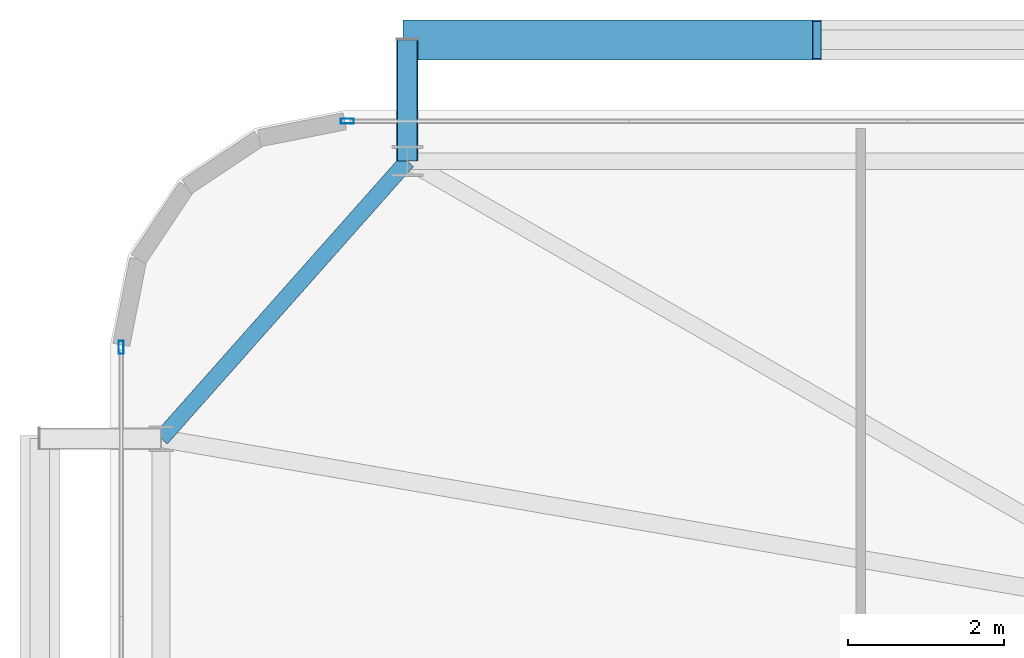
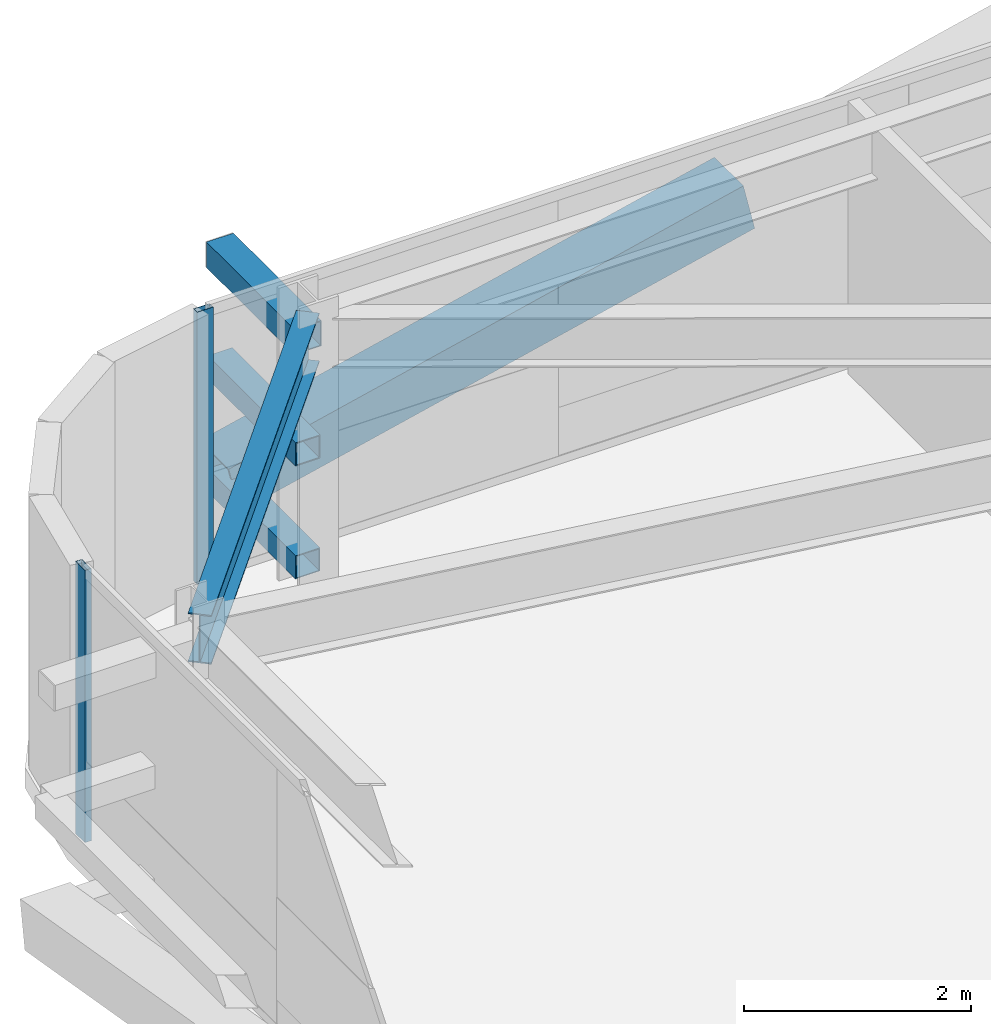
# One storey, part 21 of 44: 6 members, 1 beam, 2 elements without a shape of their own.
"""IFC4 building model written with IfcOpenShell, lengths in metres."""

from ifc_helpers import new_model, si_unit, direction, frame, origin, origin_2d, place, context, subcontext, project, spatial, hollow_rectangle, i_section, extrude, source, transform, mapped, material, layer, layer_set, material_profile, profile_set, type_object, element, aggregate, save


model = new_model("IFC4")

# Units and contexts
model_context = context("Model", 3, precision=1e-05, world=origin(), true_north=direction((0.0, 1.0)))
body_context = subcontext(model_context, "Body", "Model", "MODEL_VIEW")
ifc_project = project(units=[si_unit("LENGTHUNIT", "METRE"), si_unit("AREAUNIT", "SQUARE_METRE"), si_unit("VOLUMEUNIT", "CUBIC_METRE"), si_unit("PLANEANGLEUNIT", "RADIAN"), si_unit("MASSUNIT", "GRAM", prefix="KILO")], contexts=[model_context])

# Site, building, storey
site_placement = place(None, origin())
site = spatial("IfcSite", under=ifc_project, at=site_placement, CompositionType="ELEMENT")
building_placement = place(site_placement, origin())
building = spatial("IfcBuilding", under=site, at=building_placement, Name="Taldren Reach Tower", CompositionType="ELEMENT")
storey_placement = place(building_placement, frame((0.0, 0.0, 42.0)))
storey = spatial("IfcBuildingStorey", under=building, at=storey_placement, Name="L12", CompositionType="ELEMENT", Elevation=42.0)

# Beam
ifc_material_1 = material(Name="Steel Gr 350 (350PLUS)", Category="steel")
ifc_material_profile_1 = material_profile(ifc_material_1, i_section(OverallWidth=0.208984375, OverallDepth=0.528076171875, WebThickness=0.009521484375, FlangeThickness=0.01318359375, at=origin_2d()), Name="530UB82.0")
ifc_profile_set_1 = profile_set([ifc_material_profile_1], Name="Steel Gr 350 (350PLUS)")
beam_type = type_object("IfcBeamType", Name="SP-UB530B", PredefinedType="SPANDREL", material=ifc_profile_set_1)
shared_shape_1 = source(origin(), body_context, "Body", "SweptSolid", [
    extrude(i_section(OverallWidth=0.208984375, OverallDepth=0.528076171875, WebThickness=0.009521484375, FlangeThickness=0.01318359375, at=origin_2d()), origin(), (0.0, 0.0, 1.0), 4.74609375),
])
beam_placement = place(storey_placement, frame((8.800048828125, 37.85009765625, 2.666015625), z_axis=(-0.663721843779, -0.747979487747, 0.0), x_axis=(0.747979487747, -0.663721843779, 0.0)))
element("IfcBeam", 1, at=beam_placement, inside=storey, type_object=beam_type, Name="Perimeter spandrel B1 N1-W3 L12", PredefinedType="SPANDREL", context=body_context, shape_type="MappedRepresentation", body=[
    mapped(shared_shape_1, transform((0.0, 0.0, 0.0), scale=1.0)),
])

# Members
ifc_material_2 = material(Name="Steel Gr 450 (C450L0)", Category="steel")
ifc_material_profile_2 = material_profile(ifc_material_2, hollow_rectangle(XDim=0.27490234375, YDim=0.27490234375, WallThickness=0.00927734375, at=origin_2d()), Name="275x275x9.3SHS")
ifc_profile_set_2 = profile_set([ifc_material_profile_2], Name="Steel Gr 450 (C450L0)")
member_type_1 = type_object("IfcMemberType", Name="MB-TIE273", PredefinedType="STRUT", material=ifc_profile_set_2)
shared_shape_2 = source(origin(), body_context, "Body", "SweptSolid", [
    extrude(hollow_rectangle(XDim=0.27490234375, YDim=0.27490234375, WallThickness=0.00927734375, at=origin_2d()), origin(), (0.0, 0.0, 1.0), 1.5498046875),
])
member_1_placement = place(storey_placement, frame((8.800048828125, 37.85009765625, 2.64990234375), z_axis=(0.0, 1.0, 0.0), x_axis=(-1.0, 0.0, 0.0)))
element("IfcMember", 2, at=member_1_placement, inside=storey, type_object=member_type_1, Name="Exoskeleton diaphragm tie strut B1-N1 L12", PredefinedType="STRUT", context=body_context, shape_type="MappedRepresentation", body=[
    mapped(shared_shape_2, transform((0.0, 0.0, 0.0), scale=1.0)),
])
ifc_material_profile_3 = material_profile(ifc_material_2, hollow_rectangle(XDim=0.510009765625, YDim=0.510009765625, WallThickness=0.02001953125, at=origin_2d()), Name="510x510x20.0SHS")
ifc_profile_set_3 = profile_set([ifc_material_profile_3], Name="Steel Gr 450 (C450L0)")
member_type_2 = type_object("IfcMemberType", Name="MB-EXO508", PredefinedType="BRACE", material=ifc_profile_set_3)
shared_shape_3 = source(origin(), body_context, "Body", "SweptSolid", [
    extrude(hollow_rectangle(XDim=0.510009765625, YDim=0.510009765625, WallThickness=0.02001953125, at=origin_2d()), origin(), (0.0, 0.0, 1.0), 5.37890625),
])
member_2_placement = place(storey_placement, frame((8.800048828125, 39.39990234375, 0.219970703125), z_axis=(0.97415197996, 0.0, 0.225893603143), x_axis=(0.0, 1.0, 0.0)))
element("IfcMember", 3, at=member_2_placement, inside=storey, type_object=member_type_2, Name="Exoskeleton Diagrid Brace B1-N1 L12", PredefinedType="BRACE", context=body_context, shape_type="MappedRepresentation", body=[
    mapped(shared_shape_3, transform((0.0, 0.0, 0.0), scale=1.0)),
])
ifc_material_3 = material(Name="Steel Gr 350 (C350L0)", Category="steel")
ifc_material_profile_4 = material_profile(ifc_material_3, hollow_rectangle(XDim=0.25, YDim=0.25, WallThickness=0.010009765625, at=origin_2d()), Name="250x250x10.0SHS")
ifc_profile_set_4 = profile_set([ifc_material_profile_4], Name="Steel Gr 350 (C350L0)")
member_type_3 = type_object("IfcMemberType", Name="MB-POST250", PredefinedType="POST", material=ifc_profile_set_4)
shared_shape_4 = source(origin(), body_context, "Body", "SweptSolid", [
    extrude(hollow_rectangle(XDim=0.25, YDim=0.25, WallThickness=0.010009765625, at=origin_2d()), origin(), (0.0, 0.0, 1.0), 1.5498046875),
])
for number, where, z_axis, x_axis, name in (
    (4, (8.800048828125, 37.85009765625, 0.219970703125), (0.0, 1.0, 0.0), (-1.0, 0.0, 0.0), "Exoskeleton base diaphragm tie strut B1-N1 L12"),
    (5, (8.800048828125, 37.85009765625, 1.43505859375), (0.0, 1.0, 0.0), (-1.0, 0.0, 0.0), "Exoskeleton mid-tier diaphragm tie B1-N1 L12"),
):
    element("IfcMember", number, at=place(storey_placement, frame(where, z_axis=z_axis, x_axis=x_axis)), inside=storey, type_object=member_type_3, Name=name, PredefinedType="POST", context=body_context, shape_type="MappedRepresentation", body=[
        mapped(shared_shape_4, transform((0.0, 0.0, 0.0), scale=1.0)),
    ])

# Curtain wall, member
ifc_material_4 = material(Name="Aluminium and Low-E Glass Unitised System", Category="aluminium")
ifc_layer = layer(ifc_material_4, 0.159912109375)
ifc_layer_set = layer_set([ifc_layer], Name="Aluminium and Low-E Glass Unitised System")
curtain_wall_type = type_object("IfcCurtainWallType", Name="CW-SYS-2", PredefinedType="NOTDEFINED", material=ifc_layer_set)
curtain_wall_1_placement = place(storey_placement, origin())
curtain_wall_1 = element("IfcCurtainWall", 6, at=curtain_wall_1_placement, inside=storey, type_object=curtain_wall_type, Name="Unitised curtain wall CW-L12-N", PredefinedType="NOTDEFINED")
ifc_material_5 = material(Name="Anodised Aluminium 6063-T6", Category="aluminium")
ifc_material_profile_5 = material_profile(ifc_material_5, hollow_rectangle(XDim=0.06494140625, YDim=0.1650390625, WallThickness=0.00390625, at=origin_2d()), Name="ALU-165x65x4RHS")
ifc_profile_set_5 = profile_set([ifc_material_profile_5], Name="Anodised Aluminium 6063-T6")
member_type_4 = type_object("IfcMemberType", Name="CW-MUL-165", PredefinedType="MULLION", material=ifc_profile_set_5)
shared_shape_5 = source(origin(), body_context, "Body", "SweptSolid", [
    extrude(hollow_rectangle(XDim=0.06494140625, YDim=0.1650390625, WallThickness=0.00390625, at=origin_2d()), origin(), (0.0, 0.0, 1.0), 2.929931640625),
])
member_3_placement = place(storey_placement, frame((8.032470703125, 38.360107421875, 0.0), z_axis=(0.0, 0.0, 1.0), x_axis=(0.0, -1.0, 0.0)))
member_3 = element("IfcMember", 7, at=member_3_placement, type_object=member_type_4, Name="CW-2 mullion 6", PredefinedType="MULLION", context=body_context, shape_type="MappedRepresentation", body=[
    mapped(shared_shape_5, transform((0.0, 0.0, 0.0), scale=1.0)),
])
aggregate(curtain_wall_1, [member_3])

curtain_wall_2_placement = place(storey_placement, origin())
curtain_wall_2 = element("IfcCurtainWall", 8, at=curtain_wall_2_placement, inside=storey, type_object=curtain_wall_type, Name="Unitised curtain wall CW-L12-W", PredefinedType="NOTDEFINED")
member_4_placement = place(storey_placement, frame((5.139892578125, 35.467529296875, 0.0), z_axis=(0.0, 0.0, 1.0), x_axis=(1.0, 0.0, 0.0)))
member_4 = element("IfcMember", 9, at=member_4_placement, type_object=member_type_4, Name="CW-2 mullion 1", PredefinedType="MULLION", context=body_context, shape_type="MappedRepresentation", body=[
    mapped(shared_shape_5, transform((0.0, 0.0, 0.0), scale=1.0)),
])
aggregate(curtain_wall_2, [member_4])

save(model, "model.ifc")
